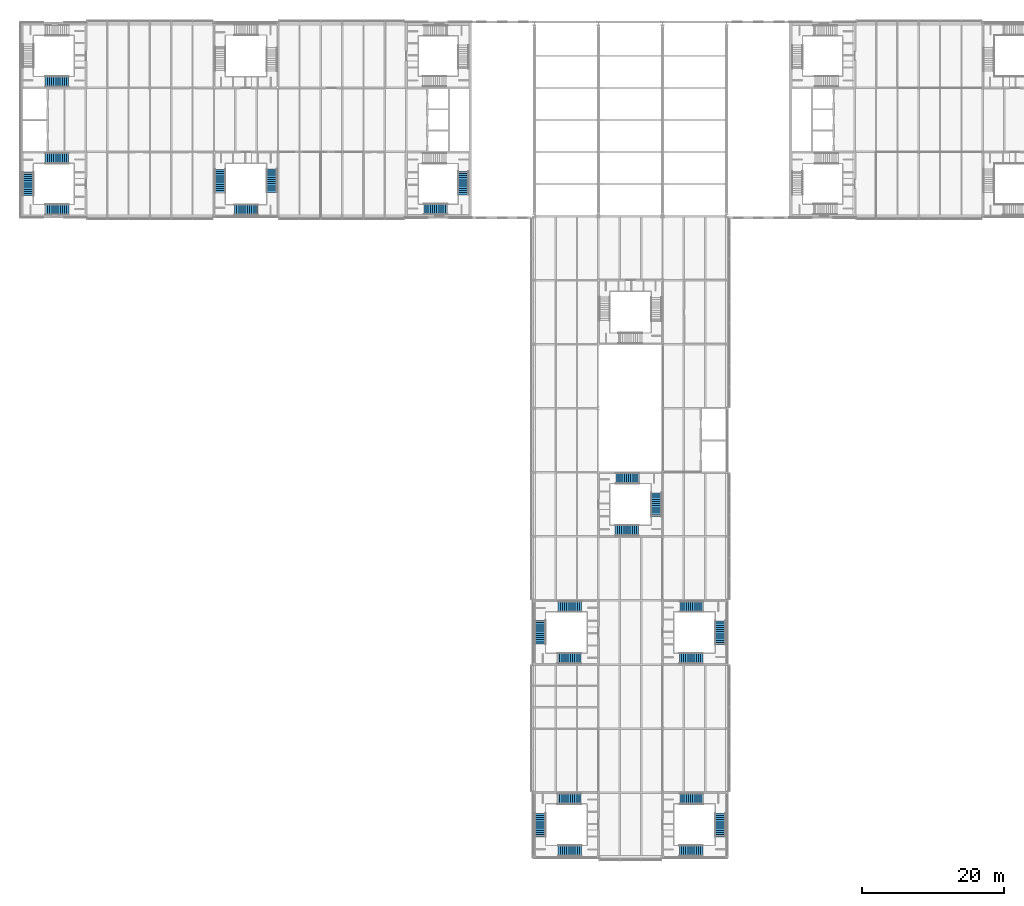
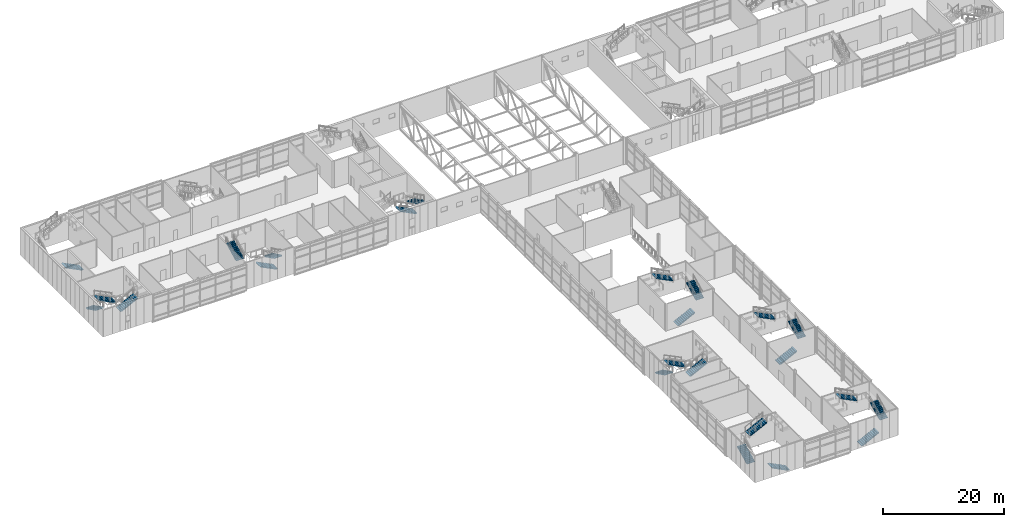
# One storey, part 42 of 53: 24 stair flights, 9 elements without a shape of their own.
"""IFC4 building model written with IfcOpenShell, lengths in metres."""

from ifc_helpers import new_model, si_unit, direction, frame, origin, place, context, subcontext, project, spatial, polyline, outline, extrude, material, type_object, element, aggregate, save


model = new_model("IFC4")

# Units and contexts
model_context = context("Model", 3, precision=1e-05, world=origin(), true_north=direction((0.0, 1.0)))
body_context = subcontext(model_context, "Body", "Model", "MODEL_VIEW")
ifc_project = project(units=[si_unit("LENGTHUNIT", "METRE"), si_unit("AREAUNIT", "SQUARE_METRE"), si_unit("VOLUMEUNIT", "CUBIC_METRE"), si_unit("PLANEANGLEUNIT", "RADIAN"), si_unit("MASSUNIT", "GRAM", prefix="KILO")], contexts=[model_context])

# Site, building, storey
site_placement = place(None, origin())
site = spatial("IfcSite", under=ifc_project, at=site_placement, CompositionType="ELEMENT")
building_placement = place(site_placement, origin())
building = spatial("IfcBuilding", under=site, at=building_placement, Name="Azimuth Sports and Learning Centre", CompositionType="ELEMENT")
storey_placement = place(building_placement, frame((0.0, 0.0, 10.800048828125)))
storey = spatial("IfcBuildingStorey", under=building, at=storey_placement, Name="L02", CompositionType="ELEMENT", Elevation=10.800048828125)

# Stair, stair flights
ifc_material_1 = material(Name="Concrete C32/40", Category="concrete")
stair_type_1 = type_object("IfcStairType", Name="Square-well stair core 5400 storey", PredefinedType="THREE_QUARTER_TURN_STAIR", material=ifc_material_1)
stair_1_placement = place(storey_placement, origin())
stair_1 = element("IfcStair", 1, at=stair_1_placement, inside=storey, type_object=stair_type_1, Name="Stair W1 L02-L03", PredefinedType="THREE_QUARTER_TURN_STAIR")
ifc_material_2 = material(Name="Concrete C32/40", Category="concrete")
stair_flight_type = type_object("IfcStairFlightType", Name="Stair flight 12 risers", PredefinedType="STRAIGHT", material=ifc_material_2)
stair_flight_1_placement = place(storey_placement, frame((62.0400390625, 96.2900390625, 1.800048828125), z_axis=(0.0, 0.0, 1.0), x_axis=(0.0, -1.0, 0.0)))
stair_flight_1 = element("IfcStairFlight", 2, at=stair_flight_1_placement, type_object=stair_flight_type, Name="Stair W1 L02 flight 2", NumberOfRisers=12, NumberOfTreads=11, PredefinedType="STRAIGHT", RiserHeight=0.15, TreadLength=0.3, context=body_context, shape_type="SweptSolid", body=[
    extrude(outline(polyline([(0.0, 0.0), (0.0, 0.14990234375), (0.300048828125, 0.14990234375), (0.300048828125, 0.300048828125), (0.60009765625, 0.300048828125), (0.60009765625, 0.449951171875), (0.89990234375, 0.449951171875), (0.89990234375, 0.60009765625), (1.199951171875, 0.60009765625), (1.199951171875, 0.75), (1.5, 0.75), (1.5, 0.89990234375), (1.800048828125, 0.89990234375), (1.800048828125, 1.050048828125), (2.10009765625, 1.050048828125), (2.10009765625, 1.199951171875), (2.39990234375, 1.199951171875), (2.39990234375, 1.35009765625), (2.699951171875, 1.35009765625), (2.699951171875, 1.5), (3.0, 1.5), (3.0, 1.64990234375), (3.300048828125, 1.64990234375), (3.300048828125, 1.800048828125), (3.300048828125, 1.482421875), (0.335205078125, 0.0), (0.0, 0.0)])), frame((0.0, 0.75, 0.0), z_axis=(0.0, -1.0, 0.0), x_axis=(1.0, 0.0, 0.0)), (0.0, 0.0, 1.0), 1.5),
])
stair_flight_2_placement = place(storey_placement, frame((59.7900390625, 90.9599609375, 3.599853515625), z_axis=(0.0, 0.0, 1.0), x_axis=(-1.0, 0.0, 0.0)))
stair_flight_2 = element("IfcStairFlight", 3, at=stair_flight_2_placement, type_object=stair_flight_type, Name="Stair W1 L02 flight 3", NumberOfRisers=12, NumberOfTreads=11, PredefinedType="STRAIGHT", RiserHeight=0.15, TreadLength=0.3, context=body_context, shape_type="SweptSolid", body=[
    extrude(outline(polyline([(0.0, 0.0), (0.0, 0.14990234375), (0.300048828125, 0.14990234375), (0.300048828125, 0.300048828125), (0.60009765625, 0.300048828125), (0.60009765625, 0.449951171875), (0.89990234375, 0.449951171875), (0.89990234375, 0.60009765625), (1.199951171875, 0.60009765625), (1.199951171875, 0.75), (1.5, 0.75), (1.5, 0.89990234375), (1.800048828125, 0.89990234375), (1.800048828125, 1.050048828125), (2.10009765625, 1.050048828125), (2.10009765625, 1.199951171875), (2.39990234375, 1.199951171875), (2.39990234375, 1.35009765625), (2.699951171875, 1.35009765625), (2.699951171875, 1.5), (3.0, 1.5), (3.0, 1.64990234375), (3.300048828125, 1.64990234375), (3.300048828125, 1.800048828125), (3.300048828125, 1.482421875), (0.335205078125, 0.0), (0.0, 0.0)])), frame((0.0, 0.75, 0.0), z_axis=(0.0, -1.0, 0.0), x_axis=(1.0, 0.0, 0.0)), (0.0, 0.0, 1.0), 1.5),
])
aggregate(stair_1, [stair_flight_1, stair_flight_2])

ifc_material_3 = material(Name="Concrete C32/40", Category="concrete")
stair_type_2 = type_object("IfcStairType", Name="Square-well stair end core 5400 storey", PredefinedType="THREE_QUARTER_TURN_STAIR", material=ifc_material_3)
stair_2_placement = place(storey_placement, origin())
stair_2 = element("IfcStair", 4, at=stair_2_placement, inside=storey, type_object=stair_type_2, Name="Stair WW1 L02-L03", PredefinedType="THREE_QUARTER_TURN_STAIR")
stair_flight_3_placement = place(storey_placement, frame((6.590087890625, 98.114990234375, 0.0), z_axis=(0.0, 0.0, 1.0), x_axis=(-1.0, 0.0, 0.0)))
stair_flight_3 = element("IfcStairFlight", 5, at=stair_flight_3_placement, type_object=stair_flight_type, Name="Stair WW1 L02 flight 1", NumberOfRisers=12, NumberOfTreads=11, PredefinedType="STRAIGHT", RiserHeight=0.15, TreadLength=0.3, context=body_context, shape_type="SweptSolid", body=[
    extrude(outline(polyline([(0.0, 0.0), (0.0, 0.14990234375), (0.300048828125, 0.14990234375), (0.300048828125, 0.300048828125), (0.60009765625, 0.300048828125), (0.60009765625, 0.449951171875), (0.89990234375, 0.449951171875), (0.89990234375, 0.60009765625), (1.199951171875, 0.60009765625), (1.199951171875, 0.75), (1.5, 0.75), (1.5, 0.89990234375), (1.800048828125, 0.89990234375), (1.800048828125, 1.050048828125), (2.10009765625, 1.050048828125), (2.10009765625, 1.199951171875), (2.39990234375, 1.199951171875), (2.39990234375, 1.35009765625), (2.699951171875, 1.35009765625), (2.699951171875, 1.5), (3.0, 1.5), (3.0, 1.64990234375), (3.300048828125, 1.64990234375), (3.300048828125, 1.800048828125), (3.300048828125, 1.482421875), (0.335205078125, 0.0), (0.0, 0.0)])), frame((0.0, 0.75, 0.0), z_axis=(0.0, -1.0, 0.0), x_axis=(1.0, 0.0, 0.0)), (0.0, 0.0, 1.0), 1.5),
])
stair_flight_4_placement = place(storey_placement, frame((0.909912109375, 96.1650390625, 1.800048828125), z_axis=(0.0, 0.0, 1.0), x_axis=(0.0, -1.0, 0.0)))
stair_flight_4 = element("IfcStairFlight", 6, at=stair_flight_4_placement, type_object=stair_flight_type, Name="Stair WW1 L02 flight 2", NumberOfRisers=12, NumberOfTreads=11, PredefinedType="STRAIGHT", RiserHeight=0.15, TreadLength=0.3, context=body_context, shape_type="SweptSolid", body=[
    extrude(outline(polyline([(0.0, 0.0), (0.0, 0.14990234375), (0.300048828125, 0.14990234375), (0.300048828125, 0.300048828125), (0.60009765625, 0.300048828125), (0.60009765625, 0.449951171875), (0.89990234375, 0.449951171875), (0.89990234375, 0.60009765625), (1.199951171875, 0.60009765625), (1.199951171875, 0.75), (1.5, 0.75), (1.5, 0.89990234375), (1.800048828125, 0.89990234375), (1.800048828125, 1.050048828125), (2.10009765625, 1.050048828125), (2.10009765625, 1.199951171875), (2.39990234375, 1.199951171875), (2.39990234375, 1.35009765625), (2.699951171875, 1.35009765625), (2.699951171875, 1.5), (3.0, 1.5), (3.0, 1.64990234375), (3.300048828125, 1.64990234375), (3.300048828125, 1.800048828125), (3.300048828125, 1.482421875), (0.335205078125, 0.0), (0.0, 0.0)])), frame((0.0, 0.75, 0.0), z_axis=(0.0, -1.0, 0.0), x_axis=(1.0, 0.0, 0.0)), (0.0, 0.0, 1.0), 1.5),
])
stair_flight_5_placement = place(storey_placement, frame((3.31005859375, 90.909912109375, 3.599853515625), z_axis=(0.0, 0.0, 1.0), x_axis=(1.0, 0.0, 0.0)))
stair_flight_5 = element("IfcStairFlight", 7, at=stair_flight_5_placement, type_object=stair_flight_type, Name="Stair WW1 L02 flight 3", NumberOfRisers=12, NumberOfTreads=11, PredefinedType="STRAIGHT", RiserHeight=0.15, TreadLength=0.3, context=body_context, shape_type="SweptSolid", body=[
    extrude(outline(polyline([(0.0, 0.0), (0.0, 0.14990234375), (0.300048828125, 0.14990234375), (0.300048828125, 0.300048828125), (0.60009765625, 0.300048828125), (0.60009765625, 0.449951171875), (0.89990234375, 0.449951171875), (0.89990234375, 0.60009765625), (1.199951171875, 0.60009765625), (1.199951171875, 0.75), (1.5, 0.75), (1.5, 0.89990234375), (1.800048828125, 0.89990234375), (1.800048828125, 1.050048828125), (2.10009765625, 1.050048828125), (2.10009765625, 1.199951171875), (2.39990234375, 1.199951171875), (2.39990234375, 1.35009765625), (2.699951171875, 1.35009765625), (2.699951171875, 1.5), (3.0, 1.5), (3.0, 1.64990234375), (3.300048828125, 1.64990234375), (3.300048828125, 1.800048828125), (3.300048828125, 1.482421875), (0.335205078125, 0.0), (0.0, 0.0)])), frame((0.0, 0.75, 0.0), z_axis=(0.0, -1.0, 0.0), x_axis=(1.0, 0.0, 0.0)), (0.0, 0.0, 1.0), 1.5),
])
aggregate(stair_2, [stair_flight_3, stair_flight_4, stair_flight_5])

# Stair, stair flight
stair_3_placement = place(storey_placement, origin())
stair_3 = element("IfcStair", 8, at=stair_3_placement, inside=storey, type_object=stair_type_2, Name="Stair WW2 L02-L03", PredefinedType="THREE_QUARTER_TURN_STAIR")
stair_flight_6_placement = place(storey_placement, frame((6.590087890625, 108.885009765625, 0.0), z_axis=(0.0, 0.0, 1.0), x_axis=(-1.0, 0.0, 0.0)))
stair_flight_6 = element("IfcStairFlight", 9, at=stair_flight_6_placement, type_object=stair_flight_type, Name="Stair WW2 L02 flight 1", NumberOfRisers=12, NumberOfTreads=11, PredefinedType="STRAIGHT", RiserHeight=0.15, TreadLength=0.3, context=body_context, shape_type="SweptSolid", body=[
    extrude(outline(polyline([(0.0, 0.0), (0.0, 0.14990234375), (0.300048828125, 0.14990234375), (0.300048828125, 0.300048828125), (0.60009765625, 0.300048828125), (0.60009765625, 0.449951171875), (0.89990234375, 0.449951171875), (0.89990234375, 0.60009765625), (1.199951171875, 0.60009765625), (1.199951171875, 0.75), (1.5, 0.75), (1.5, 0.89990234375), (1.800048828125, 0.89990234375), (1.800048828125, 1.050048828125), (2.10009765625, 1.050048828125), (2.10009765625, 1.199951171875), (2.39990234375, 1.199951171875), (2.39990234375, 1.35009765625), (2.699951171875, 1.35009765625), (2.699951171875, 1.5), (3.0, 1.5), (3.0, 1.64990234375), (3.300048828125, 1.64990234375), (3.300048828125, 1.800048828125), (3.300048828125, 1.482421875), (0.335205078125, 0.0), (0.0, 0.0)])), frame((0.0, 0.75, 0.0), z_axis=(0.0, -1.0, 0.0), x_axis=(1.0, 0.0, 0.0)), (0.0, 0.0, 1.0), 1.5),
])
aggregate(stair_3, [stair_flight_6])

# Stair, stair flights
ifc_material_4 = material(Name="Concrete C32/40", Category="concrete")
stair_type_3 = type_object("IfcStairType", Name="Square-well stair mid-wing cell 5400 storey", PredefinedType="THREE_QUARTER_TURN_STAIR", material=ifc_material_4)
stair_4_placement = place(storey_placement, origin())
stair_4 = element("IfcStair", 10, at=stair_4_placement, inside=storey, type_object=stair_type_3, Name="Stair WM1 L02-L03", PredefinedType="THREE_QUARTER_TURN_STAIR")
stair_flight_7_placement = place(storey_placement, frame((35.139892578125, 96.639892578125, 0.0), z_axis=(0.0, 0.0, 1.0), x_axis=(0.0, -1.0, 0.0)))
stair_flight_7 = element("IfcStairFlight", 11, at=stair_flight_7_placement, type_object=stair_flight_type, Name="Stair WM1 L02 flight 1", NumberOfRisers=12, NumberOfTreads=11, PredefinedType="STRAIGHT", RiserHeight=0.15, TreadLength=0.3, context=body_context, shape_type="SweptSolid", body=[
    extrude(outline(polyline([(0.0, 0.0), (0.0, 0.14990234375), (0.300048828125, 0.14990234375), (0.300048828125, 0.300048828125), (0.60009765625, 0.300048828125), (0.60009765625, 0.449951171875), (0.89990234375, 0.449951171875), (0.89990234375, 0.60009765625), (1.199951171875, 0.60009765625), (1.199951171875, 0.75), (1.5, 0.75), (1.5, 0.89990234375), (1.800048828125, 0.89990234375), (1.800048828125, 1.050048828125), (2.10009765625, 1.050048828125), (2.10009765625, 1.199951171875), (2.39990234375, 1.199951171875), (2.39990234375, 1.35009765625), (2.699951171875, 1.35009765625), (2.699951171875, 1.5), (3.0, 1.5), (3.0, 1.64990234375), (3.300048828125, 1.64990234375), (3.300048828125, 1.800048828125), (3.300048828125, 1.482421875), (0.335205078125, 0.0), (0.0, 0.0)])), frame((0.0, 0.75, 0.0), z_axis=(0.0, -1.0, 0.0), x_axis=(1.0, 0.0, 0.0)), (0.0, 0.0, 1.0), 1.5),
])
stair_flight_8_placement = place(storey_placement, frame((33.18994140625, 90.860107421875, 1.800048828125), z_axis=(0.0, 0.0, 1.0), x_axis=(-1.0, 0.0, 0.0)))
stair_flight_8 = element("IfcStairFlight", 12, at=stair_flight_8_placement, type_object=stair_flight_type, Name="Stair WM1 L02 flight 2", NumberOfRisers=12, NumberOfTreads=11, PredefinedType="STRAIGHT", RiserHeight=0.15, TreadLength=0.3, context=body_context, shape_type="SweptSolid", body=[
    extrude(outline(polyline([(0.0, 0.0), (0.0, 0.14990234375), (0.300048828125, 0.14990234375), (0.300048828125, 0.300048828125), (0.60009765625, 0.300048828125), (0.60009765625, 0.449951171875), (0.89990234375, 0.449951171875), (0.89990234375, 0.60009765625), (1.199951171875, 0.60009765625), (1.199951171875, 0.75), (1.5, 0.75), (1.5, 0.89990234375), (1.800048828125, 0.89990234375), (1.800048828125, 1.050048828125), (2.10009765625, 1.050048828125), (2.10009765625, 1.199951171875), (2.39990234375, 1.199951171875), (2.39990234375, 1.35009765625), (2.699951171875, 1.35009765625), (2.699951171875, 1.5), (3.0, 1.5), (3.0, 1.64990234375), (3.300048828125, 1.64990234375), (3.300048828125, 1.800048828125), (3.300048828125, 1.482421875), (0.335205078125, 0.0), (0.0, 0.0)])), frame((0.0, 0.75, 0.0), z_axis=(0.0, -1.0, 0.0), x_axis=(1.0, 0.0, 0.0)), (0.0, 0.0, 1.0), 1.5),
])
stair_flight_9_placement = place(storey_placement, frame((27.860107421875, 93.260009765625, 3.599853515625), z_axis=(0.0, 0.0, 1.0), x_axis=(0.0, 1.0, 0.0)))
stair_flight_9 = element("IfcStairFlight", 13, at=stair_flight_9_placement, type_object=stair_flight_type, Name="Stair WM1 L02 flight 3", NumberOfRisers=12, NumberOfTreads=11, PredefinedType="STRAIGHT", RiserHeight=0.15, TreadLength=0.3, context=body_context, shape_type="SweptSolid", body=[
    extrude(outline(polyline([(0.0, 0.0), (0.0, 0.14990234375), (0.300048828125, 0.14990234375), (0.300048828125, 0.300048828125), (0.60009765625, 0.300048828125), (0.60009765625, 0.449951171875), (0.89990234375, 0.449951171875), (0.89990234375, 0.60009765625), (1.199951171875, 0.60009765625), (1.199951171875, 0.75), (1.5, 0.75), (1.5, 0.89990234375), (1.800048828125, 0.89990234375), (1.800048828125, 1.050048828125), (2.10009765625, 1.050048828125), (2.10009765625, 1.199951171875), (2.39990234375, 1.199951171875), (2.39990234375, 1.35009765625), (2.699951171875, 1.35009765625), (2.699951171875, 1.5), (3.0, 1.5), (3.0, 1.64990234375), (3.300048828125, 1.64990234375), (3.300048828125, 1.800048828125), (3.300048828125, 1.482421875), (0.335205078125, 0.0), (0.0, 0.0)])), frame((0.0, 0.75, 0.0), z_axis=(0.0, -1.0, 0.0), x_axis=(1.0, 0.0, 0.0)), (0.0, 0.0, 1.0), 1.5),
])
aggregate(stair_4, [stair_flight_7, stair_flight_8, stair_flight_9])

ifc_material_5 = material(Name="Concrete C32/40", Category="concrete")
stair_type_4 = type_object("IfcStairType", Name="Square-well stair stem cell 5400 storey", PredefinedType="THREE_QUARTER_TURN_STAIR", material=ifc_material_5)
stair_5_placement = place(storey_placement, origin())
stair_5 = element("IfcStair", 14, at=stair_5_placement, inside=storey, type_object=stair_type_4, Name="Stair ST1 L02-L03", PredefinedType="THREE_QUARTER_TURN_STAIR")
stair_flight_10_placement = place(storey_placement, frame((78.639892578125, 0.860107421875, 0.0), z_axis=(0.0, 0.0, 1.0), x_axis=(-1.0, 0.0, 0.0)))
stair_flight_10 = element("IfcStairFlight", 15, at=stair_flight_10_placement, type_object=stair_flight_type, Name="Stair ST1 L02 flight 1", NumberOfRisers=12, NumberOfTreads=11, PredefinedType="STRAIGHT", RiserHeight=0.15, TreadLength=0.3, context=body_context, shape_type="SweptSolid", body=[
    extrude(outline(polyline([(0.0, 0.0), (0.0, 0.14990234375), (0.300048828125, 0.14990234375), (0.300048828125, 0.300048828125), (0.60009765625, 0.300048828125), (0.60009765625, 0.449951171875), (0.89990234375, 0.449951171875), (0.89990234375, 0.60009765625), (1.199951171875, 0.60009765625), (1.199951171875, 0.75), (1.5, 0.75), (1.5, 0.89990234375), (1.800048828125, 0.89990234375), (1.800048828125, 1.050048828125), (2.10009765625, 1.050048828125), (2.10009765625, 1.199951171875), (2.39990234375, 1.199951171875), (2.39990234375, 1.35009765625), (2.699951171875, 1.35009765625), (2.699951171875, 1.5), (3.0, 1.5), (3.0, 1.64990234375), (3.300048828125, 1.64990234375), (3.300048828125, 1.800048828125), (3.300048828125, 1.482421875), (0.335205078125, 0.0), (0.0, 0.0)])), frame((0.0, 0.75, 0.0), z_axis=(0.0, -1.0, 0.0), x_axis=(1.0, 0.0, 0.0)), (0.0, 0.0, 1.0), 1.5),
])
stair_flight_11_placement = place(storey_placement, frame((72.860107421875, 2.81005859375, 1.800048828125), z_axis=(0.0, 0.0, 1.0), x_axis=(0.0, 1.0, 0.0)))
stair_flight_11 = element("IfcStairFlight", 16, at=stair_flight_11_placement, type_object=stair_flight_type, Name="Stair ST1 L02 flight 2", NumberOfRisers=12, NumberOfTreads=11, PredefinedType="STRAIGHT", RiserHeight=0.15, TreadLength=0.3, context=body_context, shape_type="SweptSolid", body=[
    extrude(outline(polyline([(0.0, 0.0), (0.0, 0.14990234375), (0.300048828125, 0.14990234375), (0.300048828125, 0.300048828125), (0.60009765625, 0.300048828125), (0.60009765625, 0.449951171875), (0.89990234375, 0.449951171875), (0.89990234375, 0.60009765625), (1.199951171875, 0.60009765625), (1.199951171875, 0.75), (1.5, 0.75), (1.5, 0.89990234375), (1.800048828125, 0.89990234375), (1.800048828125, 1.050048828125), (2.10009765625, 1.050048828125), (2.10009765625, 1.199951171875), (2.39990234375, 1.199951171875), (2.39990234375, 1.35009765625), (2.699951171875, 1.35009765625), (2.699951171875, 1.5), (3.0, 1.5), (3.0, 1.64990234375), (3.300048828125, 1.64990234375), (3.300048828125, 1.800048828125), (3.300048828125, 1.482421875), (0.335205078125, 0.0), (0.0, 0.0)])), frame((0.0, 0.75, 0.0), z_axis=(0.0, -1.0, 0.0), x_axis=(1.0, 0.0, 0.0)), (0.0, 0.0, 1.0), 1.5),
])
stair_flight_12_placement = place(storey_placement, frame((75.260009765625, 8.139892578125, 3.599853515625), z_axis=(0.0, 0.0, 1.0), x_axis=(1.0, 0.0, 0.0)))
stair_flight_12 = element("IfcStairFlight", 17, at=stair_flight_12_placement, type_object=stair_flight_type, Name="Stair ST1 L02 flight 3", NumberOfRisers=12, NumberOfTreads=11, PredefinedType="STRAIGHT", RiserHeight=0.15, TreadLength=0.3, context=body_context, shape_type="SweptSolid", body=[
    extrude(outline(polyline([(0.0, 0.0), (0.0, 0.14990234375), (0.300048828125, 0.14990234375), (0.300048828125, 0.300048828125), (0.60009765625, 0.300048828125), (0.60009765625, 0.449951171875), (0.89990234375, 0.449951171875), (0.89990234375, 0.60009765625), (1.199951171875, 0.60009765625), (1.199951171875, 0.75), (1.5, 0.75), (1.5, 0.89990234375), (1.800048828125, 0.89990234375), (1.800048828125, 1.050048828125), (2.10009765625, 1.050048828125), (2.10009765625, 1.199951171875), (2.39990234375, 1.199951171875), (2.39990234375, 1.35009765625), (2.699951171875, 1.35009765625), (2.699951171875, 1.5), (3.0, 1.5), (3.0, 1.64990234375), (3.300048828125, 1.64990234375), (3.300048828125, 1.800048828125), (3.300048828125, 1.482421875), (0.335205078125, 0.0), (0.0, 0.0)])), frame((0.0, 0.75, 0.0), z_axis=(0.0, -1.0, 0.0), x_axis=(1.0, 0.0, 0.0)), (0.0, 0.0, 1.0), 1.5),
])
aggregate(stair_5, [stair_flight_10, stair_flight_11, stair_flight_12])

stair_6_placement = place(storey_placement, origin())
stair_6 = element("IfcStair", 18, at=stair_6_placement, inside=storey, type_object=stair_type_4, Name="Stair ST2 L02-L03", PredefinedType="THREE_QUARTER_TURN_STAIR")
stair_flight_13_placement = place(storey_placement, frame((92.360107421875, 0.860107421875, 0.0), z_axis=(0.0, 0.0, 1.0), x_axis=(1.0, 0.0, 0.0)))
stair_flight_13 = element("IfcStairFlight", 19, at=stair_flight_13_placement, type_object=stair_flight_type, Name="Stair ST2 L02 flight 1", NumberOfRisers=12, NumberOfTreads=11, PredefinedType="STRAIGHT", RiserHeight=0.15, TreadLength=0.3, context=body_context, shape_type="SweptSolid", body=[
    extrude(outline(polyline([(0.0, 0.0), (0.0, 0.14990234375), (0.300048828125, 0.14990234375), (0.300048828125, 0.300048828125), (0.60009765625, 0.300048828125), (0.60009765625, 0.449951171875), (0.89990234375, 0.449951171875), (0.89990234375, 0.60009765625), (1.199951171875, 0.60009765625), (1.199951171875, 0.75), (1.5, 0.75), (1.5, 0.89990234375), (1.800048828125, 0.89990234375), (1.800048828125, 1.050048828125), (2.10009765625, 1.050048828125), (2.10009765625, 1.199951171875), (2.39990234375, 1.199951171875), (2.39990234375, 1.35009765625), (2.699951171875, 1.35009765625), (2.699951171875, 1.5), (3.0, 1.5), (3.0, 1.64990234375), (3.300048828125, 1.64990234375), (3.300048828125, 1.800048828125), (3.300048828125, 1.482421875), (0.335205078125, 0.0), (0.0, 0.0)])), frame((0.0, 0.75, 0.0), z_axis=(0.0, -1.0, 0.0), x_axis=(1.0, 0.0, 0.0)), (0.0, 0.0, 1.0), 1.5),
])
stair_flight_14_placement = place(storey_placement, frame((98.139892578125, 2.81005859375, 1.800048828125), z_axis=(0.0, 0.0, 1.0), x_axis=(0.0, 1.0, 0.0)))
stair_flight_14 = element("IfcStairFlight", 20, at=stair_flight_14_placement, type_object=stair_flight_type, Name="Stair ST2 L02 flight 2", NumberOfRisers=12, NumberOfTreads=11, PredefinedType="STRAIGHT", RiserHeight=0.15, TreadLength=0.3, context=body_context, shape_type="SweptSolid", body=[
    extrude(outline(polyline([(0.0, 0.0), (0.0, 0.14990234375), (0.300048828125, 0.14990234375), (0.300048828125, 0.300048828125), (0.60009765625, 0.300048828125), (0.60009765625, 0.449951171875), (0.89990234375, 0.449951171875), (0.89990234375, 0.60009765625), (1.199951171875, 0.60009765625), (1.199951171875, 0.75), (1.5, 0.75), (1.5, 0.89990234375), (1.800048828125, 0.89990234375), (1.800048828125, 1.050048828125), (2.10009765625, 1.050048828125), (2.10009765625, 1.199951171875), (2.39990234375, 1.199951171875), (2.39990234375, 1.35009765625), (2.699951171875, 1.35009765625), (2.699951171875, 1.5), (3.0, 1.5), (3.0, 1.64990234375), (3.300048828125, 1.64990234375), (3.300048828125, 1.800048828125), (3.300048828125, 1.482421875), (0.335205078125, 0.0), (0.0, 0.0)])), frame((0.0, 0.75, 0.0), z_axis=(0.0, -1.0, 0.0), x_axis=(1.0, 0.0, 0.0)), (0.0, 0.0, 1.0), 1.5),
])
stair_flight_15_placement = place(storey_placement, frame((95.739990234375, 8.139892578125, 3.599853515625), z_axis=(0.0, 0.0, 1.0), x_axis=(-1.0, 0.0, 0.0)))
stair_flight_15 = element("IfcStairFlight", 21, at=stair_flight_15_placement, type_object=stair_flight_type, Name="Stair ST2 L02 flight 3", NumberOfRisers=12, NumberOfTreads=11, PredefinedType="STRAIGHT", RiserHeight=0.15, TreadLength=0.3, context=body_context, shape_type="SweptSolid", body=[
    extrude(outline(polyline([(0.0, 0.0), (0.0, 0.14990234375), (0.300048828125, 0.14990234375), (0.300048828125, 0.300048828125), (0.60009765625, 0.300048828125), (0.60009765625, 0.449951171875), (0.89990234375, 0.449951171875), (0.89990234375, 0.60009765625), (1.199951171875, 0.60009765625), (1.199951171875, 0.75), (1.5, 0.75), (1.5, 0.89990234375), (1.800048828125, 0.89990234375), (1.800048828125, 1.050048828125), (2.10009765625, 1.050048828125), (2.10009765625, 1.199951171875), (2.39990234375, 1.199951171875), (2.39990234375, 1.35009765625), (2.699951171875, 1.35009765625), (2.699951171875, 1.5), (3.0, 1.5), (3.0, 1.64990234375), (3.300048828125, 1.64990234375), (3.300048828125, 1.800048828125), (3.300048828125, 1.482421875), (0.335205078125, 0.0), (0.0, 0.0)])), frame((0.0, 0.75, 0.0), z_axis=(0.0, -1.0, 0.0), x_axis=(1.0, 0.0, 0.0)), (0.0, 0.0, 1.0), 1.5),
])
aggregate(stair_6, [stair_flight_13, stair_flight_14, stair_flight_15])

stair_7_placement = place(storey_placement, origin())
stair_7 = element("IfcStair", 22, at=stair_7_placement, inside=storey, type_object=stair_type_4, Name="Stair ST3 L02-L03", PredefinedType="THREE_QUARTER_TURN_STAIR")
stair_flight_16_placement = place(storey_placement, frame((78.639892578125, 35.139892578125, 0.0), z_axis=(0.0, 0.0, 1.0), x_axis=(-1.0, 0.0, 0.0)))
stair_flight_16 = element("IfcStairFlight", 23, at=stair_flight_16_placement, type_object=stair_flight_type, Name="Stair ST3 L02 flight 1", NumberOfRisers=12, NumberOfTreads=11, PredefinedType="STRAIGHT", RiserHeight=0.15, TreadLength=0.3, context=body_context, shape_type="SweptSolid", body=[
    extrude(outline(polyline([(0.0, 0.0), (0.0, 0.14990234375), (0.300048828125, 0.14990234375), (0.300048828125, 0.300048828125), (0.60009765625, 0.300048828125), (0.60009765625, 0.449951171875), (0.89990234375, 0.449951171875), (0.89990234375, 0.60009765625), (1.199951171875, 0.60009765625), (1.199951171875, 0.75), (1.5, 0.75), (1.5, 0.89990234375), (1.800048828125, 0.89990234375), (1.800048828125, 1.050048828125), (2.10009765625, 1.050048828125), (2.10009765625, 1.199951171875), (2.39990234375, 1.199951171875), (2.39990234375, 1.35009765625), (2.699951171875, 1.35009765625), (2.699951171875, 1.5), (3.0, 1.5), (3.0, 1.64990234375), (3.300048828125, 1.64990234375), (3.300048828125, 1.800048828125), (3.300048828125, 1.482421875), (0.335205078125, 0.0), (0.0, 0.0)])), frame((0.0, 0.75, 0.0), z_axis=(0.0, -1.0, 0.0), x_axis=(1.0, 0.0, 0.0)), (0.0, 0.0, 1.0), 1.5),
])
stair_flight_17_placement = place(storey_placement, frame((72.860107421875, 33.18994140625, 1.800048828125), z_axis=(0.0, 0.0, 1.0), x_axis=(0.0, -1.0, 0.0)))
stair_flight_17 = element("IfcStairFlight", 24, at=stair_flight_17_placement, type_object=stair_flight_type, Name="Stair ST3 L02 flight 2", NumberOfRisers=12, NumberOfTreads=11, PredefinedType="STRAIGHT", RiserHeight=0.15, TreadLength=0.3, context=body_context, shape_type="SweptSolid", body=[
    extrude(outline(polyline([(0.0, 0.0), (0.0, 0.14990234375), (0.300048828125, 0.14990234375), (0.300048828125, 0.300048828125), (0.60009765625, 0.300048828125), (0.60009765625, 0.449951171875), (0.89990234375, 0.449951171875), (0.89990234375, 0.60009765625), (1.199951171875, 0.60009765625), (1.199951171875, 0.75), (1.5, 0.75), (1.5, 0.89990234375), (1.800048828125, 0.89990234375), (1.800048828125, 1.050048828125), (2.10009765625, 1.050048828125), (2.10009765625, 1.199951171875), (2.39990234375, 1.199951171875), (2.39990234375, 1.35009765625), (2.699951171875, 1.35009765625), (2.699951171875, 1.5), (3.0, 1.5), (3.0, 1.64990234375), (3.300048828125, 1.64990234375), (3.300048828125, 1.800048828125), (3.300048828125, 1.482421875), (0.335205078125, 0.0), (0.0, 0.0)])), frame((0.0, 0.75, 0.0), z_axis=(0.0, -1.0, 0.0), x_axis=(1.0, 0.0, 0.0)), (0.0, 0.0, 1.0), 1.5),
])
stair_flight_18_placement = place(storey_placement, frame((75.260009765625, 27.860107421875, 3.599853515625), z_axis=(0.0, 0.0, 1.0), x_axis=(1.0, 0.0, 0.0)))
stair_flight_18 = element("IfcStairFlight", 25, at=stair_flight_18_placement, type_object=stair_flight_type, Name="Stair ST3 L02 flight 3", NumberOfRisers=12, NumberOfTreads=11, PredefinedType="STRAIGHT", RiserHeight=0.15, TreadLength=0.3, context=body_context, shape_type="SweptSolid", body=[
    extrude(outline(polyline([(0.0, 0.0), (0.0, 0.14990234375), (0.300048828125, 0.14990234375), (0.300048828125, 0.300048828125), (0.60009765625, 0.300048828125), (0.60009765625, 0.449951171875), (0.89990234375, 0.449951171875), (0.89990234375, 0.60009765625), (1.199951171875, 0.60009765625), (1.199951171875, 0.75), (1.5, 0.75), (1.5, 0.89990234375), (1.800048828125, 0.89990234375), (1.800048828125, 1.050048828125), (2.10009765625, 1.050048828125), (2.10009765625, 1.199951171875), (2.39990234375, 1.199951171875), (2.39990234375, 1.35009765625), (2.699951171875, 1.35009765625), (2.699951171875, 1.5), (3.0, 1.5), (3.0, 1.64990234375), (3.300048828125, 1.64990234375), (3.300048828125, 1.800048828125), (3.300048828125, 1.482421875), (0.335205078125, 0.0), (0.0, 0.0)])), frame((0.0, 0.75, 0.0), z_axis=(0.0, -1.0, 0.0), x_axis=(1.0, 0.0, 0.0)), (0.0, 0.0, 1.0), 1.5),
])
aggregate(stair_7, [stair_flight_16, stair_flight_17, stair_flight_18])

stair_8_placement = place(storey_placement, origin())
stair_8 = element("IfcStair", 26, at=stair_8_placement, inside=storey, type_object=stair_type_4, Name="Stair ST4 L02-L03", PredefinedType="THREE_QUARTER_TURN_STAIR")
stair_flight_19_placement = place(storey_placement, frame((92.360107421875, 27.860107421875, 0.0), z_axis=(0.0, 0.0, 1.0), x_axis=(1.0, 0.0, 0.0)))
stair_flight_19 = element("IfcStairFlight", 27, at=stair_flight_19_placement, type_object=stair_flight_type, Name="Stair ST4 L02 flight 1", NumberOfRisers=12, NumberOfTreads=11, PredefinedType="STRAIGHT", RiserHeight=0.15, TreadLength=0.3, context=body_context, shape_type="SweptSolid", body=[
    extrude(outline(polyline([(0.0, 0.0), (0.0, 0.14990234375), (0.300048828125, 0.14990234375), (0.300048828125, 0.300048828125), (0.60009765625, 0.300048828125), (0.60009765625, 0.449951171875), (0.89990234375, 0.449951171875), (0.89990234375, 0.60009765625), (1.199951171875, 0.60009765625), (1.199951171875, 0.75), (1.5, 0.75), (1.5, 0.89990234375), (1.800048828125, 0.89990234375), (1.800048828125, 1.050048828125), (2.10009765625, 1.050048828125), (2.10009765625, 1.199951171875), (2.39990234375, 1.199951171875), (2.39990234375, 1.35009765625), (2.699951171875, 1.35009765625), (2.699951171875, 1.5), (3.0, 1.5), (3.0, 1.64990234375), (3.300048828125, 1.64990234375), (3.300048828125, 1.800048828125), (3.300048828125, 1.482421875), (0.335205078125, 0.0), (0.0, 0.0)])), frame((0.0, 0.75, 0.0), z_axis=(0.0, -1.0, 0.0), x_axis=(1.0, 0.0, 0.0)), (0.0, 0.0, 1.0), 1.5),
])
stair_flight_20_placement = place(storey_placement, frame((98.139892578125, 29.81005859375, 1.800048828125), z_axis=(0.0, 0.0, 1.0), x_axis=(0.0, 1.0, 0.0)))
stair_flight_20 = element("IfcStairFlight", 28, at=stair_flight_20_placement, type_object=stair_flight_type, Name="Stair ST4 L02 flight 2", NumberOfRisers=12, NumberOfTreads=11, PredefinedType="STRAIGHT", RiserHeight=0.15, TreadLength=0.3, context=body_context, shape_type="SweptSolid", body=[
    extrude(outline(polyline([(0.0, 0.0), (0.0, 0.14990234375), (0.300048828125, 0.14990234375), (0.300048828125, 0.300048828125), (0.60009765625, 0.300048828125), (0.60009765625, 0.449951171875), (0.89990234375, 0.449951171875), (0.89990234375, 0.60009765625), (1.199951171875, 0.60009765625), (1.199951171875, 0.75), (1.5, 0.75), (1.5, 0.89990234375), (1.800048828125, 0.89990234375), (1.800048828125, 1.050048828125), (2.10009765625, 1.050048828125), (2.10009765625, 1.199951171875), (2.39990234375, 1.199951171875), (2.39990234375, 1.35009765625), (2.699951171875, 1.35009765625), (2.699951171875, 1.5), (3.0, 1.5), (3.0, 1.64990234375), (3.300048828125, 1.64990234375), (3.300048828125, 1.800048828125), (3.300048828125, 1.482421875), (0.335205078125, 0.0), (0.0, 0.0)])), frame((0.0, 0.75, 0.0), z_axis=(0.0, -1.0, 0.0), x_axis=(1.0, 0.0, 0.0)), (0.0, 0.0, 1.0), 1.5),
])
stair_flight_21_placement = place(storey_placement, frame((95.739990234375, 35.139892578125, 3.599853515625), z_axis=(0.0, 0.0, 1.0), x_axis=(-1.0, 0.0, 0.0)))
stair_flight_21 = element("IfcStairFlight", 29, at=stair_flight_21_placement, type_object=stair_flight_type, Name="Stair ST4 L02 flight 3", NumberOfRisers=12, NumberOfTreads=11, PredefinedType="STRAIGHT", RiserHeight=0.15, TreadLength=0.3, context=body_context, shape_type="SweptSolid", body=[
    extrude(outline(polyline([(0.0, 0.0), (0.0, 0.14990234375), (0.300048828125, 0.14990234375), (0.300048828125, 0.300048828125), (0.60009765625, 0.300048828125), (0.60009765625, 0.449951171875), (0.89990234375, 0.449951171875), (0.89990234375, 0.60009765625), (1.199951171875, 0.60009765625), (1.199951171875, 0.75), (1.5, 0.75), (1.5, 0.89990234375), (1.800048828125, 0.89990234375), (1.800048828125, 1.050048828125), (2.10009765625, 1.050048828125), (2.10009765625, 1.199951171875), (2.39990234375, 1.199951171875), (2.39990234375, 1.35009765625), (2.699951171875, 1.35009765625), (2.699951171875, 1.5), (3.0, 1.5), (3.0, 1.64990234375), (3.300048828125, 1.64990234375), (3.300048828125, 1.800048828125), (3.300048828125, 1.482421875), (0.335205078125, 0.0), (0.0, 0.0)])), frame((0.0, 0.75, 0.0), z_axis=(0.0, -1.0, 0.0), x_axis=(1.0, 0.0, 0.0)), (0.0, 0.0, 1.0), 1.5),
])
aggregate(stair_8, [stair_flight_19, stair_flight_20, stair_flight_21])

stair_9_placement = place(storey_placement, origin())
stair_9 = element("IfcStair", 30, at=stair_9_placement, inside=storey, type_object=stair_type_4, Name="Stair STC L02-L03", PredefinedType="THREE_QUARTER_TURN_STAIR")
stair_flight_22_placement = place(storey_placement, frame((83.360107421875, 45.860107421875, 0.0), z_axis=(0.0, 0.0, 1.0), x_axis=(1.0, 0.0, 0.0)))
stair_flight_22 = element("IfcStairFlight", 31, at=stair_flight_22_placement, type_object=stair_flight_type, Name="Stair STC L02 flight 1", NumberOfRisers=12, NumberOfTreads=11, PredefinedType="STRAIGHT", RiserHeight=0.15, TreadLength=0.3, context=body_context, shape_type="SweptSolid", body=[
    extrude(outline(polyline([(0.0, 0.0), (0.0, 0.14990234375), (0.300048828125, 0.14990234375), (0.300048828125, 0.300048828125), (0.60009765625, 0.300048828125), (0.60009765625, 0.449951171875), (0.89990234375, 0.449951171875), (0.89990234375, 0.60009765625), (1.199951171875, 0.60009765625), (1.199951171875, 0.75), (1.5, 0.75), (1.5, 0.89990234375), (1.800048828125, 0.89990234375), (1.800048828125, 1.050048828125), (2.10009765625, 1.050048828125), (2.10009765625, 1.199951171875), (2.39990234375, 1.199951171875), (2.39990234375, 1.35009765625), (2.699951171875, 1.35009765625), (2.699951171875, 1.5), (3.0, 1.5), (3.0, 1.64990234375), (3.300048828125, 1.64990234375), (3.300048828125, 1.800048828125), (3.300048828125, 1.482421875), (0.335205078125, 0.0), (0.0, 0.0)])), frame((0.0, 0.75, 0.0), z_axis=(0.0, -1.0, 0.0), x_axis=(1.0, 0.0, 0.0)), (0.0, 0.0, 1.0), 1.5),
])
stair_flight_23_placement = place(storey_placement, frame((89.139892578125, 47.81005859375, 1.800048828125), z_axis=(0.0, 0.0, 1.0), x_axis=(0.0, 1.0, 0.0)))
stair_flight_23 = element("IfcStairFlight", 32, at=stair_flight_23_placement, type_object=stair_flight_type, Name="Stair STC L02 flight 2", NumberOfRisers=12, NumberOfTreads=11, PredefinedType="STRAIGHT", RiserHeight=0.15, TreadLength=0.3, context=body_context, shape_type="SweptSolid", body=[
    extrude(outline(polyline([(0.0, 0.0), (0.0, 0.14990234375), (0.300048828125, 0.14990234375), (0.300048828125, 0.300048828125), (0.60009765625, 0.300048828125), (0.60009765625, 0.449951171875), (0.89990234375, 0.449951171875), (0.89990234375, 0.60009765625), (1.199951171875, 0.60009765625), (1.199951171875, 0.75), (1.5, 0.75), (1.5, 0.89990234375), (1.800048828125, 0.89990234375), (1.800048828125, 1.050048828125), (2.10009765625, 1.050048828125), (2.10009765625, 1.199951171875), (2.39990234375, 1.199951171875), (2.39990234375, 1.35009765625), (2.699951171875, 1.35009765625), (2.699951171875, 1.5), (3.0, 1.5), (3.0, 1.64990234375), (3.300048828125, 1.64990234375), (3.300048828125, 1.800048828125), (3.300048828125, 1.482421875), (0.335205078125, 0.0), (0.0, 0.0)])), frame((0.0, 0.75, 0.0), z_axis=(0.0, -1.0, 0.0), x_axis=(1.0, 0.0, 0.0)), (0.0, 0.0, 1.0), 1.5),
])
stair_flight_24_placement = place(storey_placement, frame((86.739990234375, 53.139892578125, 3.599853515625), z_axis=(0.0, 0.0, 1.0), x_axis=(-1.0, 0.0, 0.0)))
stair_flight_24 = element("IfcStairFlight", 33, at=stair_flight_24_placement, type_object=stair_flight_type, Name="Stair STC L02 flight 3", NumberOfRisers=12, NumberOfTreads=11, PredefinedType="STRAIGHT", RiserHeight=0.15, TreadLength=0.3, context=body_context, shape_type="SweptSolid", body=[
    extrude(outline(polyline([(0.0, 0.0), (0.0, 0.14990234375), (0.300048828125, 0.14990234375), (0.300048828125, 0.300048828125), (0.60009765625, 0.300048828125), (0.60009765625, 0.449951171875), (0.89990234375, 0.449951171875), (0.89990234375, 0.60009765625), (1.199951171875, 0.60009765625), (1.199951171875, 0.75), (1.5, 0.75), (1.5, 0.89990234375), (1.800048828125, 0.89990234375), (1.800048828125, 1.050048828125), (2.10009765625, 1.050048828125), (2.10009765625, 1.199951171875), (2.39990234375, 1.199951171875), (2.39990234375, 1.35009765625), (2.699951171875, 1.35009765625), (2.699951171875, 1.5), (3.0, 1.5), (3.0, 1.64990234375), (3.300048828125, 1.64990234375), (3.300048828125, 1.800048828125), (3.300048828125, 1.482421875), (0.335205078125, 0.0), (0.0, 0.0)])), frame((0.0, 0.75, 0.0), z_axis=(0.0, -1.0, 0.0), x_axis=(1.0, 0.0, 0.0)), (0.0, 0.0, 1.0), 1.5),
])
aggregate(stair_9, [stair_flight_22, stair_flight_23, stair_flight_24])

save(model, "model.ifc")
